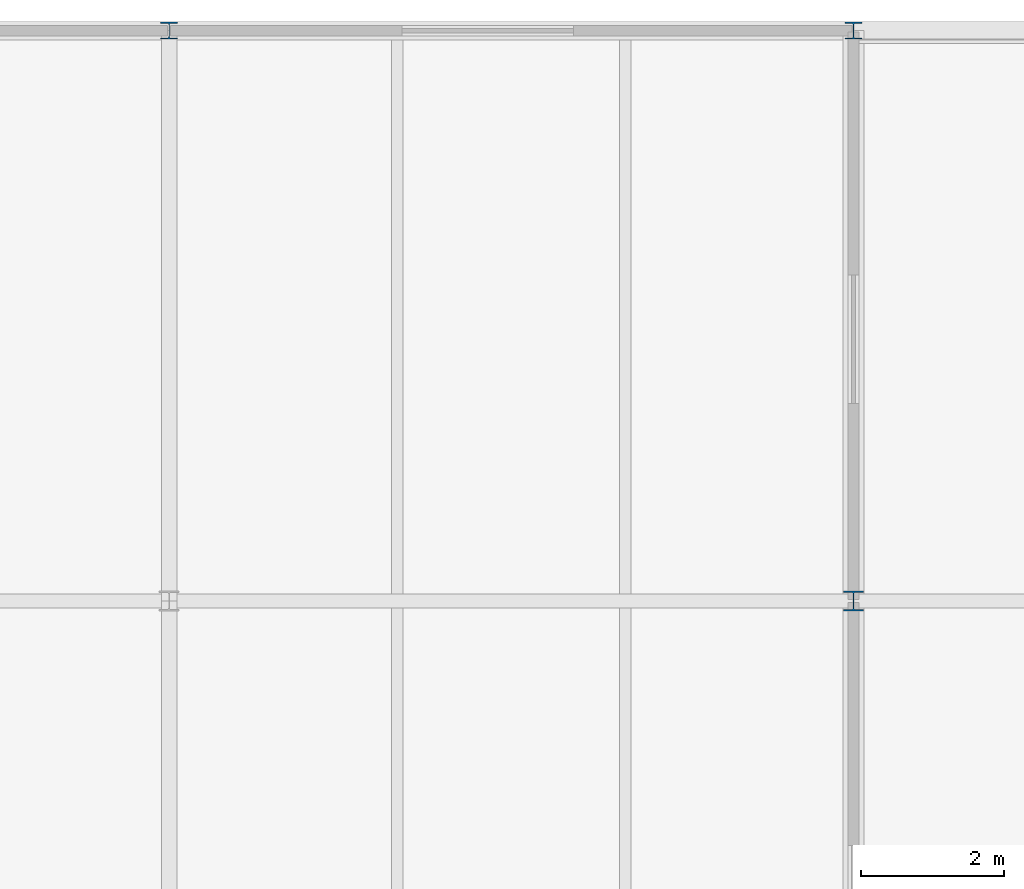
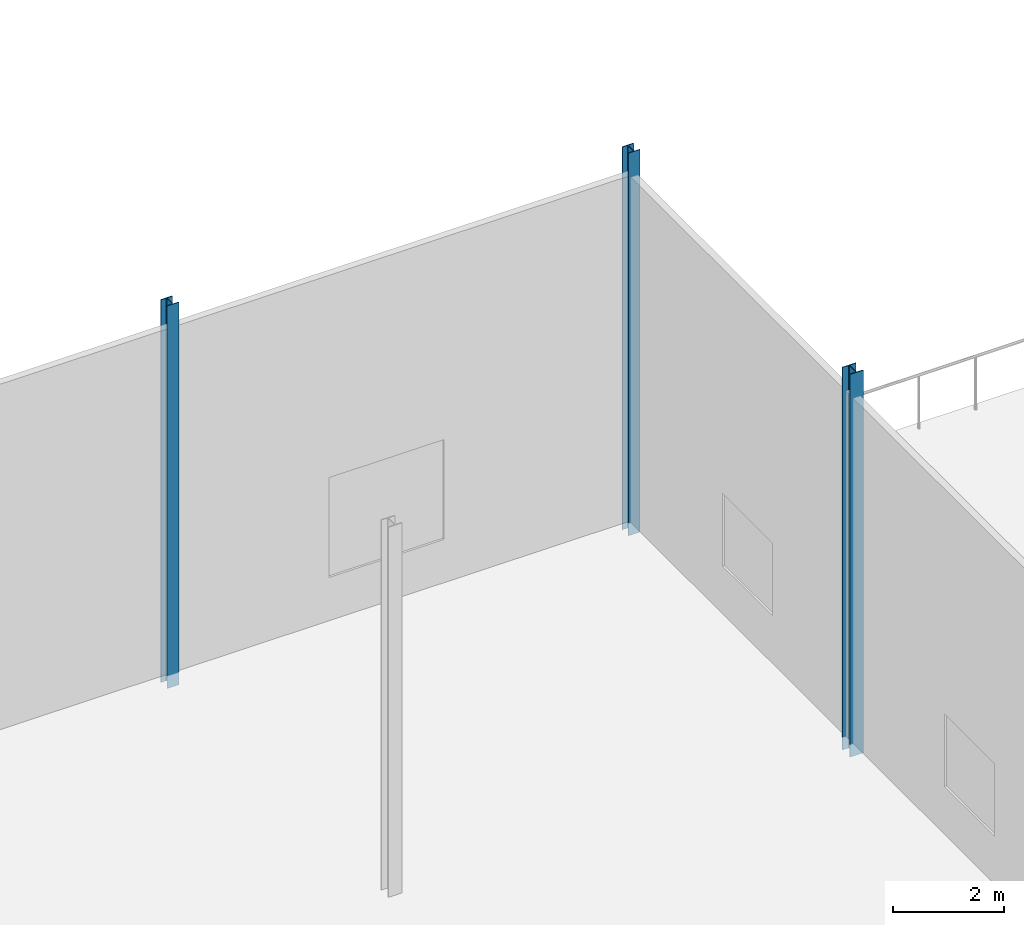
# One storey, part 12 of 73: 3 columns.
"""IFC4 building model written with IfcOpenShell, lengths in metres."""

from ifc_helpers import new_model, si_unit, direction, frame, origin, origin_2d, place, context, subcontext, project, spatial, i_section, extrude, material, material_profile, profile_set, type_object, element, save


model = new_model("IFC4")

# Units and contexts
model_context = context("Model", 3, precision=1e-05, world=origin(), true_north=direction((0.0, 1.0)))
body_context = subcontext(model_context, "Body", "Model", "MODEL_VIEW")
ifc_project = project(units=[si_unit("LENGTHUNIT", "METRE"), si_unit("AREAUNIT", "SQUARE_METRE"), si_unit("VOLUMEUNIT", "CUBIC_METRE"), si_unit("PLANEANGLEUNIT", "RADIAN"), si_unit("MASSUNIT", "GRAM", prefix="KILO")], contexts=[model_context])

# Site, building, storey
site_placement = place(None, origin())
site = spatial("IfcSite", under=ifc_project, at=site_placement, CompositionType="ELEMENT")
building_placement = place(site_placement, origin())
building = spatial("IfcBuilding", under=site, at=building_placement, Name="Alderhovde Museum", CompositionType="ELEMENT")
storey_placement = place(building_placement, frame((0.0, 0.0, 17.39990234375)))
storey = spatial("IfcBuildingStorey", under=building, at=storey_placement, Name="L04", CompositionType="ELEMENT", Elevation=17.39990234375)

# Columns
ifc_material_1 = material(Name="Steel S355J2", Category="steel")
ifc_material_profile_1 = material_profile(ifc_material_1, i_section(OverallWidth=0.239990234375, OverallDepth=0.239990234375, WebThickness=0.010009765625, FlangeThickness=0.01708984375, FilletRadius=0.02099609375, at=origin_2d()), Name="HEB 240")
ifc_profile_set_1 = profile_set([ifc_material_profile_1], Name="Steel S355J2")
column_type_1 = type_object("IfcColumnType", Name="COL-HEB240", PredefinedType="COLUMN", material=ifc_profile_set_1)
for number, where, z_axis, x_axis, name in (
    (1, (38.39990234375, 112.0, -0.27978515625), (0.0, 0.0, 1.0), (1.0, 0.0, 0.0), "L04 Column (38.4, 112.0)"),
    (2, (48.0, 112.0, -0.27978515625), (0.0, 0.0, 1.0), (1.0, 0.0, 0.0), "L04 Column (48.0, 112.0)"),
):
    element("IfcColumn", number, at=place(storey_placement, frame(where, z_axis=z_axis, x_axis=x_axis)), inside=storey, type_object=column_type_1, Name=name, PredefinedType="COLUMN", context=body_context, shape_type="SweptSolid", body=[
        extrude(i_section(OverallWidth=0.239990234375, OverallDepth=0.239990234375, WebThickness=0.010009765625, FlangeThickness=0.01708984375, FilletRadius=0.02099609375, at=origin_2d()), origin(), (0.0, 0.0, 1.0), 8.419921875),
    ])
ifc_material_2 = material(Name="Steel S355J2", Category="steel")
ifc_material_profile_2 = material_profile(ifc_material_2, i_section(OverallWidth=0.280029296875, OverallDepth=0.280029296875, WebThickness=0.010498046875, FlangeThickness=0.01806640625, FilletRadius=0.02392578125, at=origin_2d()), Name="HEB 280")
ifc_profile_set_2 = profile_set([ifc_material_profile_2], Name="Steel S355J2")
column_type_2 = type_object("IfcColumnType", Name="COL-HEB280", PredefinedType="COLUMN", material=ifc_profile_set_2)
column_placement = place(storey_placement, frame((48.0, 104.0, -0.27978515625), z_axis=(0.0, 0.0, 1.0), x_axis=(1.0, 0.0, 0.0)))
element("IfcColumn", 3, at=column_placement, inside=storey, type_object=column_type_2, Name="L04 Column (48.0, 104.0)", PredefinedType="COLUMN", context=body_context, shape_type="SweptSolid", body=[
    extrude(i_section(OverallWidth=0.280029296875, OverallDepth=0.280029296875, WebThickness=0.010498046875, FlangeThickness=0.01806640625, FilletRadius=0.02392578125, at=origin_2d()), origin(), (0.0, 0.0, 1.0), 8.419921875),
])

save(model, "model.ifc")
